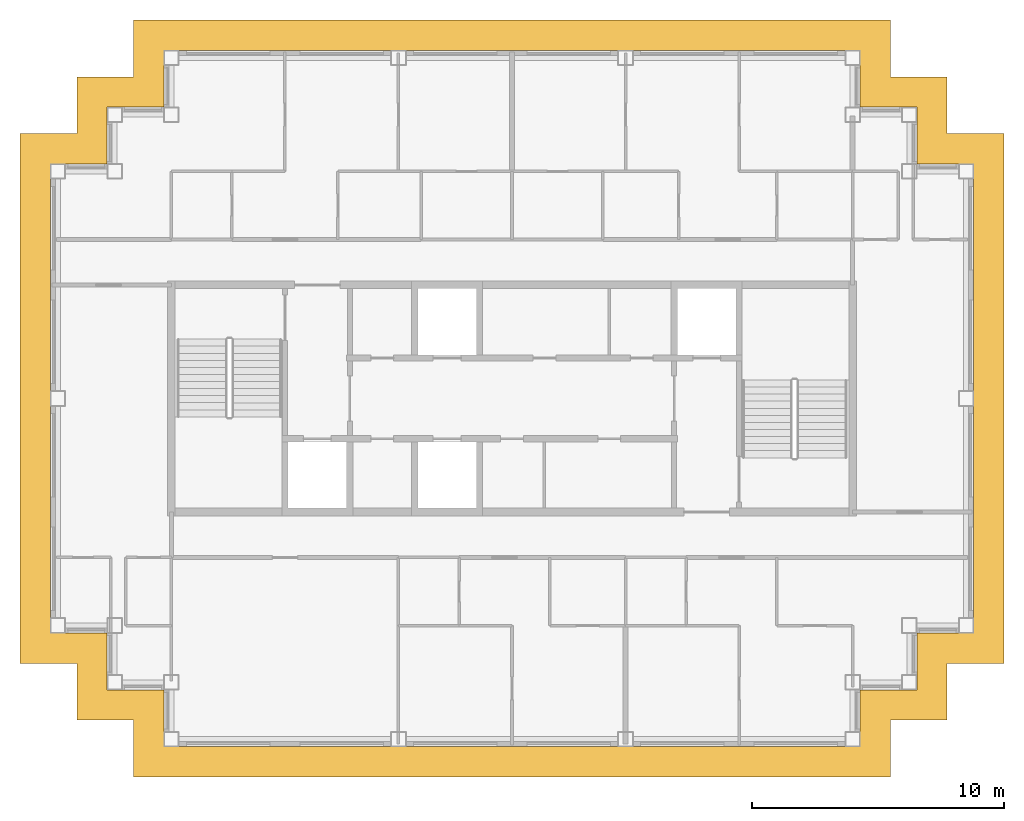
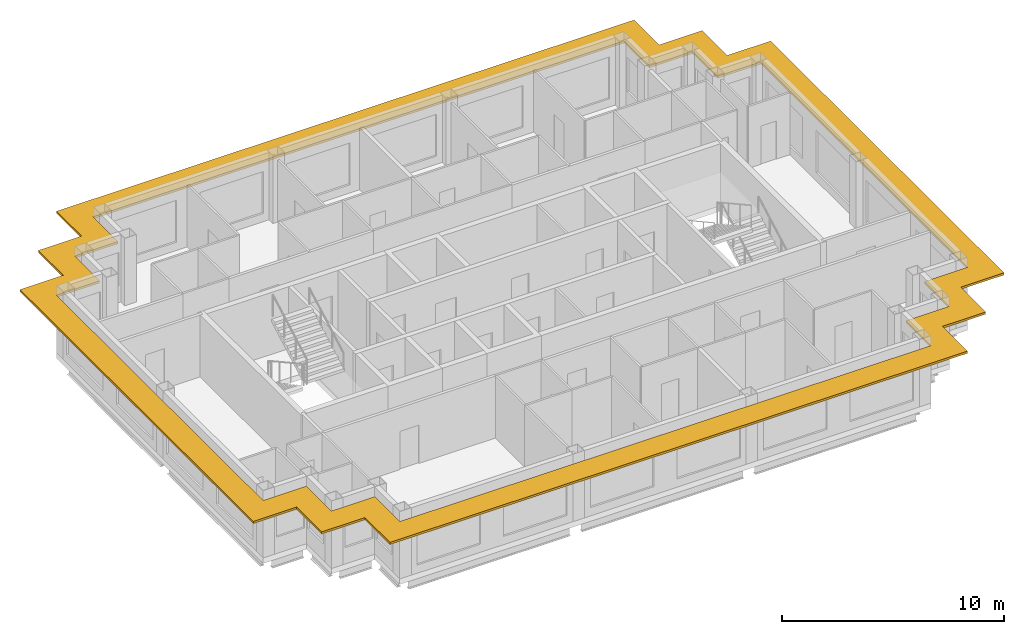
# One storey, part 10 of 11: 1 shading device.
"""IFC4 building model written with IfcOpenShell, lengths in metres."""

from ifc_helpers import new_model, si_unit, direction, frame, origin, place, context, subcontext, project, spatial, polyline, outline, extrude, material, layer, layer_set, type_object, element, save


model = new_model("IFC4")

# Units and contexts
model_context = context("Model", 3, precision=1e-05, world=origin(), true_north=direction((0.0, 1.0)))
body_context = subcontext(model_context, "Body", "Model", "MODEL_VIEW")
ifc_project = project(units=[si_unit("LENGTHUNIT", "METRE"), si_unit("AREAUNIT", "SQUARE_METRE"), si_unit("VOLUMEUNIT", "CUBIC_METRE"), si_unit("PLANEANGLEUNIT", "RADIAN"), si_unit("MASSUNIT", "GRAM", prefix="KILO")], contexts=[model_context])

# Site, building, storey
site_placement = place(None, origin())
site = spatial("IfcSite", under=ifc_project, at=site_placement, CompositionType="ELEMENT")
building_placement = place(site_placement, origin())
building = spatial("IfcBuilding", under=site, at=building_placement, Name="Caravel Reach Hotel and Residences", CompositionType="ELEMENT")
storey_placement = place(building_placement, frame((0.0, 0.0, 287.10009765625)))
storey = spatial("IfcBuildingStorey", under=building, at=storey_placement, Name="L73", CompositionType="ELEMENT", Elevation=287.10009765625)

# Shading device
ifc_material = material(Name="Black powder-coated aluminium", Category="aluminium")
ifc_layer = layer(ifc_material, 0.1201171875)
ifc_layer_set = layer_set([ifc_layer], Name="SS1 Sunshade band 1200")
shading_device_type = type_object("IfcShadingDeviceType", Name="SS1 Sunshade band 1200", PredefinedType="USERDEFINED", material=ifc_layer_set)
shading_device_placement = place(storey_placement, frame((0.0, 0.0, 3.039794921875)))
element("IfcShadingDevice", 1, at=shading_device_placement, inside=storey, type_object=shading_device_type, Name="Sunshade L73 1", ObjectType="SUNSHADE", PredefinedType="USERDEFINED", context=body_context, shape_type="SweptSolid", body=[
    extrude(outline(polyline([(16.5, 12.0), (46.5, 12.0), (46.5, 14.25), (48.75, 14.25), (48.75, 16.5), (51.0, 16.5), (51.0, 37.5), (48.75, 37.5), (48.75, 39.75), (46.5, 39.75), (46.5, 42.0), (16.5, 42.0), (16.5, 39.75), (14.25, 39.75), (14.25, 37.5), (12.0, 37.5), (12.0, 16.5), (14.25, 16.5), (14.25, 14.25), (16.5, 14.25), (16.5, 12.0)]), holes=[polyline([(45.300048828125, 15.449951171875), (45.300048828125, 13.199951171875), (17.699951171875, 13.199951171875), (17.699951171875, 15.449951171875), (15.449951171875, 15.449951171875), (15.449951171875, 17.699951171875), (13.199951171875, 17.699951171875), (13.199951171875, 36.300048828125), (15.449951171875, 36.300048828125), (15.449951171875, 38.550048828125), (17.699951171875, 38.550048828125), (17.699951171875, 40.800048828125), (45.300048828125, 40.800048828125), (45.300048828125, 38.550048828125), (47.550048828125, 38.550048828125), (47.550048828125, 36.300048828125), (49.800048828125, 36.300048828125), (49.800048828125, 17.699951171875), (47.550048828125, 17.699951171875), (47.550048828125, 15.449951171875), (45.300048828125, 15.449951171875)])]), origin(), (0.0, 0.0, 1.0), 0.1201171875),
])

save(model, "model.ifc")
